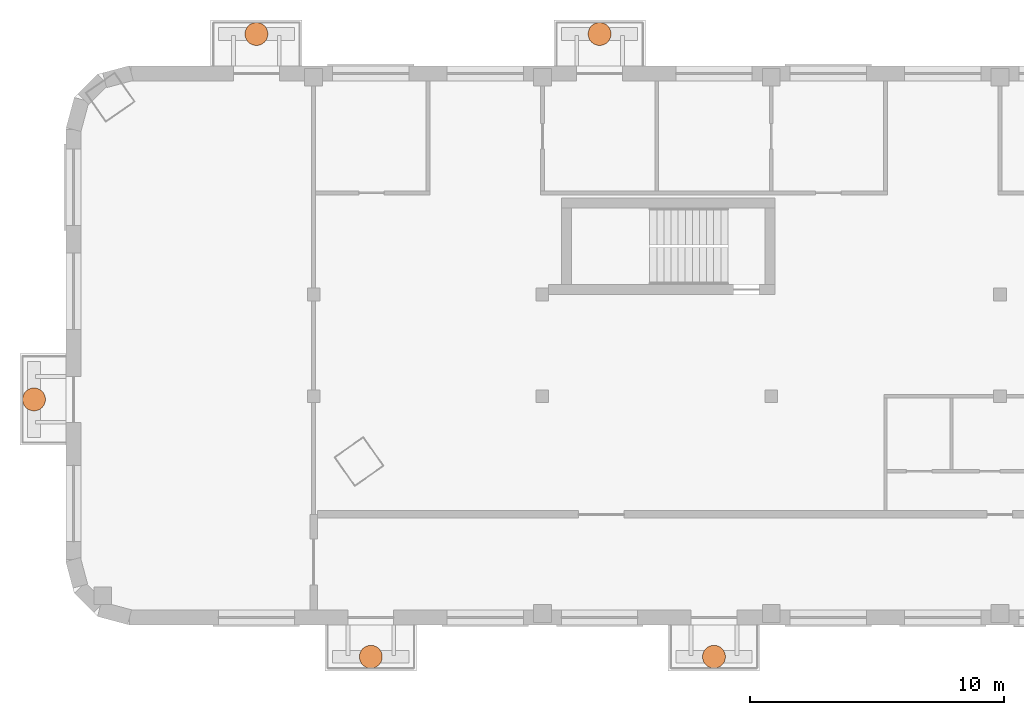
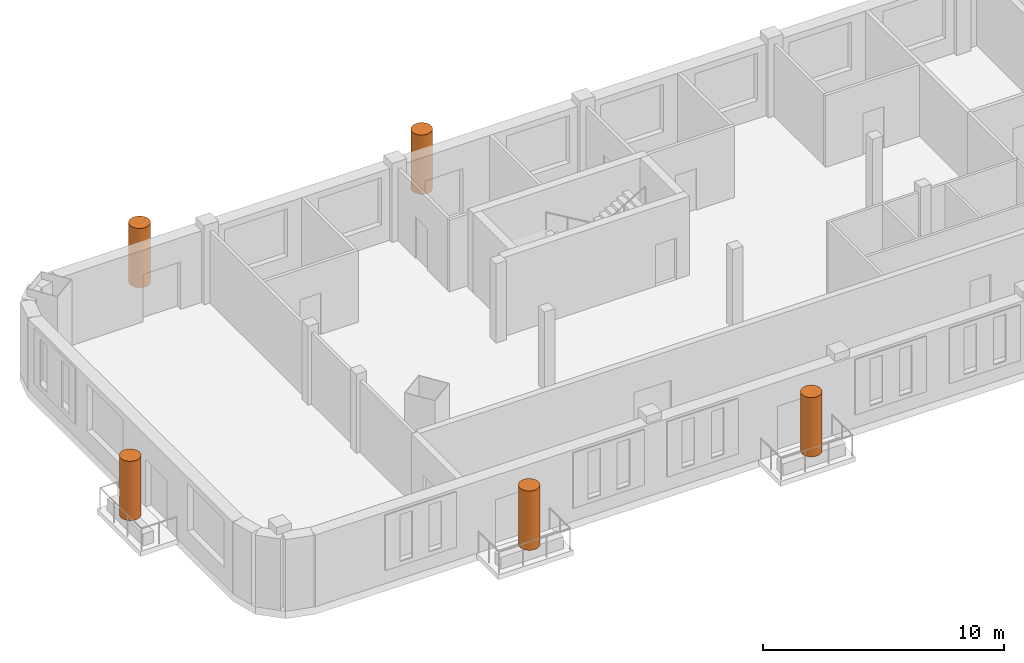
# One storey, part 7 of 7: 5 geographic elements.
"""IFC4 building model written with IfcOpenShell, lengths in metres."""

from ifc_helpers import new_model, si_unit, direction, frame, origin, origin_2d, place, context, subcontext, project, spatial, circle, extrude, element, save


model = new_model("IFC4")

# Units and contexts
model_context = context("Model", 3, precision=1e-05, world=origin(), true_north=direction((0.0, 1.0)))
body_context = subcontext(model_context, "Body", "Model", "MODEL_VIEW")
ifc_project = project(units=[si_unit("LENGTHUNIT", "METRE"), si_unit("AREAUNIT", "SQUARE_METRE"), si_unit("VOLUMEUNIT", "CUBIC_METRE"), si_unit("PLANEANGLEUNIT", "RADIAN"), si_unit("MASSUNIT", "GRAM", prefix="KILO")], contexts=[model_context])

# Site, building, storey
site_placement = place(None, origin())
site = spatial("IfcSite", under=ifc_project, at=site_placement, CompositionType="ELEMENT")
building_placement = place(site_placement, origin())
building = spatial("IfcBuilding", under=site, at=building_placement, Name="Skarvind Civic Tower", CompositionType="ELEMENT")
storey_placement = place(building_placement, frame((0.0, 0.0, 265.5)))
storey = spatial("IfcBuildingStorey", under=building, at=storey_placement, Name="L63", CompositionType="ELEMENT", Elevation=265.5)

# Geographic elements
for number, where, z_axis, x_axis, name in (
    (1, (52.0, 140.25, 0.60009765625), (0.0, 0.0, 1.0), (1.0, 0.0, 0.0), "TREE BALCONY TREE"),
    (2, (65.5, 140.25, 0.60009765625), (0.0, 0.0, 1.0), (1.0, 0.0, 0.0), "TREE BALCONY TREE"),
    (3, (43.25, 125.875, 0.60009765625), (0.0, 0.0, 1.0), (1.0, 0.0, 0.0), "TREE BALCONY TREE"),
    (4, (70.0, 115.75, 0.60009765625), (0.0, 0.0, 1.0), (1.0, 0.0, 0.0), "TREE BALCONY TREE"),
    (5, (56.5, 115.75, 0.60009765625), (0.0, 0.0, 1.0), (1.0, 0.0, 0.0), "TREE BALCONY TREE"),
):
    element("IfcGeographicElement", number, at=place(storey_placement, frame(where, z_axis=z_axis, x_axis=x_axis)), inside=storey, Name=name, ObjectType="TREE", PredefinedType="USERDEFINED", context=body_context, shape_type="SweptSolid", body=[
        extrude(circle(Radius=0.449951171875, at=origin_2d()), origin(), (0.0, 0.0, 1.0), 3.0),
    ])

save(model, "model.ifc")
